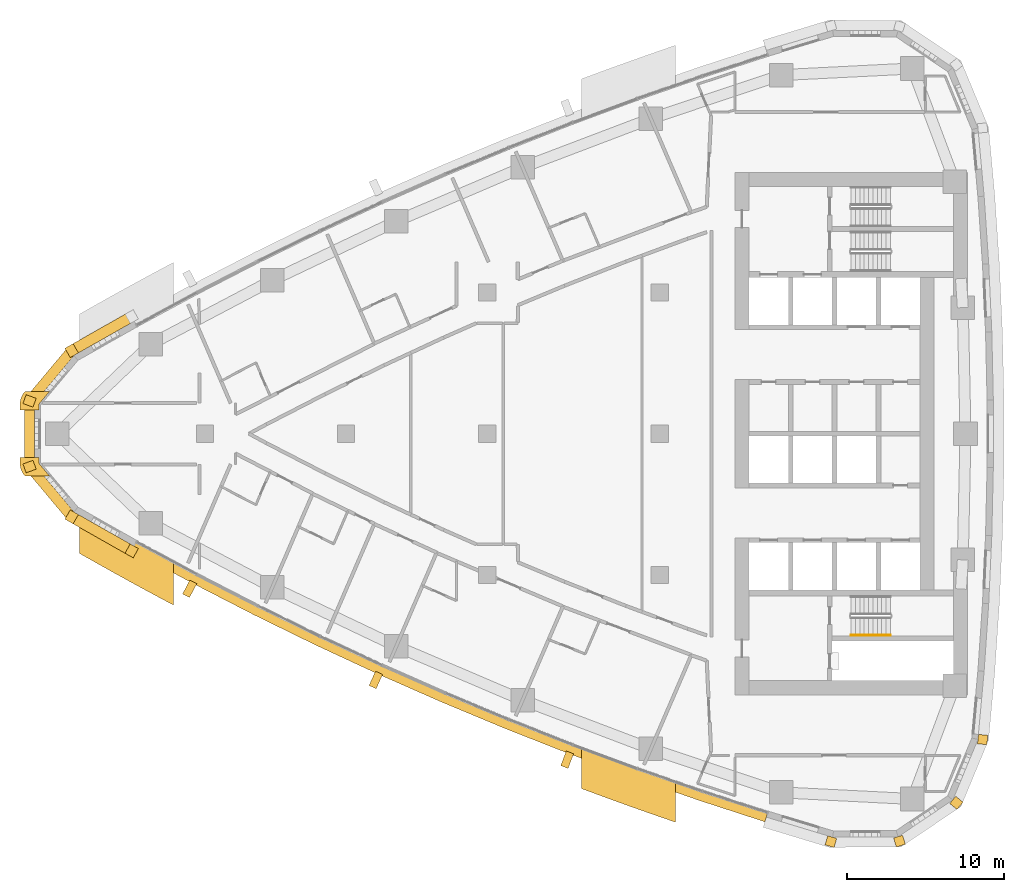
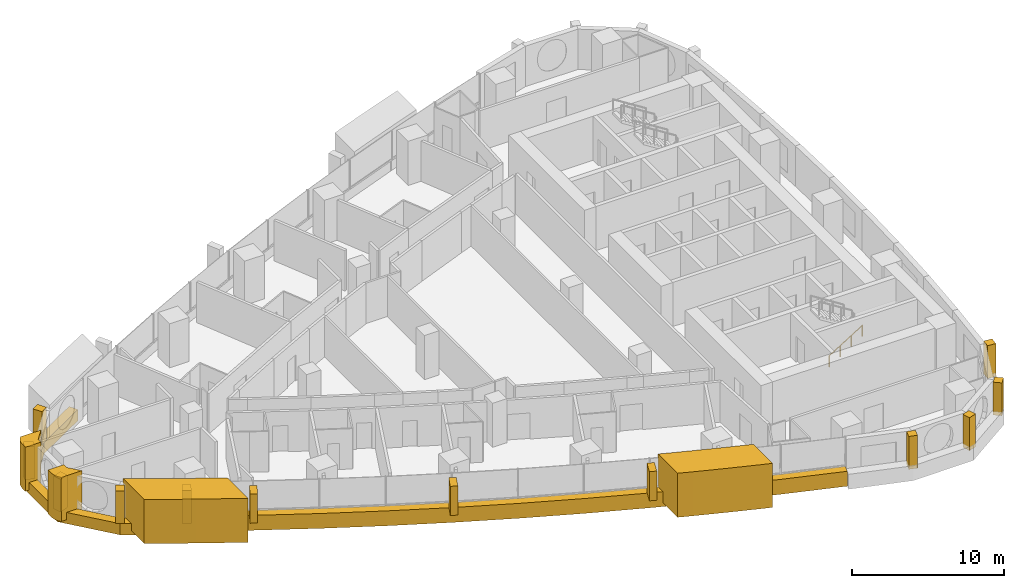
# One storey, part 14 of 17: 18 coverings, 1 railing.
"""IFC4 building model written with IfcOpenShell, lengths in metres."""

from ifc_helpers import new_model, si_unit, direction, frame, frame_2d, origin, origin_2d, place, context, subcontext, project, spatial, polyline, rectangle, circle, outline, extrude, material, layer, layer_set, type_object, element, save


model = new_model("IFC4")

# Units and contexts
model_context = context("Model", 3, precision=1e-05, world=origin(), true_north=direction((0.0, 1.0)))
body_context = subcontext(model_context, "Body", "Model", "MODEL_VIEW")
ifc_project = project(units=[si_unit("LENGTHUNIT", "METRE"), si_unit("AREAUNIT", "SQUARE_METRE"), si_unit("VOLUMEUNIT", "CUBIC_METRE"), si_unit("PLANEANGLEUNIT", "RADIAN"), si_unit("MASSUNIT", "GRAM", prefix="KILO")], contexts=[model_context])

# Site, building, storey
site_placement = place(None, origin())
site = spatial("IfcSite", under=ifc_project, at=site_placement, CompositionType="ELEMENT")
building_placement = place(site_placement, origin())
building = spatial("IfcBuilding", under=site, at=building_placement, Name="Ostrand Prow Hotel Tower", CompositionType="ELEMENT")
storey_placement = place(building_placement, frame((0.0, 0.0, 155.050048828125)))
storey = spatial("IfcBuildingStorey", under=building, at=storey_placement, Name="L38", CompositionType="ELEMENT", Elevation=155.050048828125)

# Coverings
ifc_material_1 = material(Name="Bronze anodised aluminium cladding", Category="aluminium")
ifc_layer_1 = layer(ifc_material_1, 0.60009765625)
ifc_layer_set_1 = layer_set([ifc_layer_1], Name="Bronze anodised aluminium cladding")
covering_type_1 = type_object("IfcCoveringType", Name="Bronze prow band 899x600", PredefinedType="CLADDING", material=ifc_layer_set_1)
covering_1_placement = place(storey_placement, frame((0.0, 0.0, -0.300048828125)))
element("IfcCovering", 1, at=covering_1_placement, inside=storey, type_object=covering_type_1, Name="Bronze prow band", PredefinedType="CLADDING", context=body_context, shape_type="SweptSolid", body=[
    extrude(outline(polyline([(11.16845703125, 7.766845703125), (7.335205078125, 5.594970703125), (4.5009765625, 2.208251953125), (4.5009765625, -2.208251953125), (7.335205078125, -5.594970703125), (11.16845703125, -7.766845703125), (11.497802734375, -7.171875), (7.676513671875, -5.006591796875), (5.14013671875, -1.97607421875), (5.14013671875, 1.97607421875), (7.676513671875, 5.006591796875), (11.497802734375, 7.171875), (11.16845703125, 7.766845703125)])), origin(), (0.0, 0.0, 1.0), 0.89990234375),
])
ifc_material_2 = material(Name="Bronze anodised aluminium cladding", Category="aluminium")
ifc_layer_2 = layer(ifc_material_2, 0.60009765625)
ifc_layer_set_2 = layer_set([ifc_layer_2], Name="Bronze anodised aluminium cladding")
covering_type_2 = type_object("IfcCoveringType", Name="Bronze spandrel band 1200x600", PredefinedType="CLADDING", material=ifc_layer_set_2)
covering_2_placement = place(storey_placement, frame((0.0, 0.0, -0.300048828125)))
element("IfcCovering", 2, at=covering_2_placement, inside=storey, type_object=covering_type_2, Name="Spandrel band S1", PredefinedType="CLADDING", context=body_context, shape_type="SweptSolid", body=[
    extrude(outline(polyline([(11.3466796875, -7.445068359375), (15.21630859375, -9.535888671875), (19.126953125, -11.548828125), (23.077392578125, -13.482666015625), (27.06591796875, -15.336669921875), (31.091064453125, -17.110107421875), (35.15087890625, -18.80224609375), (39.243896484375, -20.41259765625), (43.368408203125, -21.9404296875), (47.522705078125, -23.385009765625), (51.705322265625, -24.74560546875), (51.88525390625, -24.17333984375), (47.714111328125, -22.81640625), (43.571044921875, -21.375732421875), (39.457763671875, -19.85205078125), (35.376220703125, -18.24609375), (31.327392578125, -16.55859375), (27.3134765625, -14.7900390625), (23.335693359375, -12.941162109375), (19.396240234375, -11.0126953125), (15.49609375, -9.00537109375), (11.63720703125, -6.920166015625), (11.3466796875, -7.445068359375)])), origin(), (0.0, 0.0, 1.0), 1.199951171875),
])
ifc_material_3 = material(Name="Limestone cladding", Category="masonry")
ifc_layer_3 = layer(ifc_material_3, 5.0)
ifc_layer_set_3 = layer_set([ifc_layer_3], Name="Limestone cladding")
covering_type_3 = type_object("IfcCoveringType", Name="Portal jamb pilaster limestone", PredefinedType="CLADDING", material=ifc_layer_set_3)
covering_3_placement = place(storey_placement, origin())
element("IfcCovering", 3, at=covering_3_placement, inside=storey, type_object=covering_type_3, Name="Portal jamb SA L38", PredefinedType="CLADDING", context=body_context, shape_type="SweptSolid", body=[
    extrude(outline(polyline([(8.0, -4.861572265625), (8.0, -7.62939453125), (9.0, -8.1962890625), (10.0, -8.75634765625), (11.0, -9.3095703125), (12.0, -9.856201171875), (13.0, -10.39599609375), (14.0, -10.92919921875), (14.0, -8.208740234375), (13.0, -7.66796875), (12.0, -7.12060546875), (11.0, -6.566162109375), (10.0, -6.0048828125), (9.0, -5.436767578125), (8.0, -4.861572265625)])), origin(), (0.0, 0.0, 1.0), 3.550048828125),
])
covering_4_placement = place(storey_placement, origin())
element("IfcCovering", 4, at=covering_4_placement, inside=storey, type_object=covering_type_3, Name="Portal jamb SB L38", PredefinedType="CLADDING", context=body_context, shape_type="SweptSolid", body=[
    extrude(outline(polyline([(40.0, -20.058349609375), (40.0, -22.622802734375), (41.0, -22.994140625), (42.0, -23.360107421875), (43.0, -23.720458984375), (44.0, -24.075439453125), (45.0, -24.425048828125), (46.0, -24.769287109375), (46.0, -22.231689453125), (45.0, -21.883056640625), (44.0, -21.529296875), (43.0, -21.169921875), (42.0, -20.804931640625), (41.0, -20.434326171875), (40.0, -20.058349609375)])), origin(), (0.0, 0.0, 1.0), 3.550048828125),
])
ifc_material_4 = material(Name="Limestone cladding", Category="masonry")
ifc_layer_4 = layer(ifc_material_4, 0.5)
ifc_layer_set_4 = layer_set([ifc_layer_4], Name="Limestone cladding")
covering_type_4 = type_object("IfcCoveringType", Name="Precast stone fin 500x900", PredefinedType="CLADDING", material=ifc_layer_set_4)
covering_5_placement = place(storey_placement, frame((15.2626953125, -9.447509765625, 0.89990234375), z_axis=(0.0, 0.0, 1.0), x_axis=(-0.466350109869, -0.884600234584, 0.0)))
element("IfcCovering", 5, at=covering_5_placement, inside=storey, type_object=covering_type_4, Name="Stone fin S 2", PredefinedType="CLADDING", context=body_context, shape_type="SweptSolid", body=[
    extrude(rectangle(XDim=1.0, YDim=0.5, at=frame_2d((0.5, 0.0))), origin(), (0.0, 0.0, 1.0), 2.35009765625),
])
covering_6_placement = place(storey_placement, frame((27.107177734375, -15.24560546875, 0.89990234375), z_axis=(0.0, 0.0, 1.0), x_axis=(-0.412404328124, -0.911000916654, 0.0)))
element("IfcCovering", 6, at=covering_6_placement, inside=storey, type_object=covering_type_4, Name="Stone fin S 5", PredefinedType="CLADDING", context=body_context, shape_type="SweptSolid", body=[
    extrude(rectangle(XDim=0.999755859375, YDim=0.5, at=frame_2d((0.5, 0.0))), origin(), (0.0, 0.0, 1.0), 2.35009765625),
])
covering_7_placement = place(storey_placement, frame((39.279541015625, -20.319091796875, 0.89990234375), z_axis=(0.0, 0.0, 1.0), x_axis=(-0.356868116991, -0.93415477683, 0.0)))
element("IfcCovering", 7, at=covering_7_placement, inside=storey, type_object=covering_type_4, Name="Stone fin S 8", PredefinedType="CLADDING", context=body_context, shape_type="SweptSolid", body=[
    extrude(rectangle(XDim=1.000244140625, YDim=0.5, at=frame_2d((0.5, 0.0))), origin(), (0.0, 0.0, 1.0), 2.35009765625),
])
ifc_material_5 = material(Name="Limestone cladding", Category="masonry")
ifc_layer_5 = layer(ifc_material_5, 0.60009765625)
ifc_layer_set_5 = layer_set([ifc_layer_5], Name="Limestone cladding")
covering_type_5 = type_object("IfcCoveringType", Name="Precast stone prow rib 600x600", PredefinedType="CLADDING", material=ifc_layer_set_5)
covering_8_placement = place(storey_placement, frame((7.676513671875, 5.006591796875, 0.599853515625), z_axis=(0.0, 0.0, 1.0), x_axis=(-0.501771803437, 0.865000033107, 0.0)))
element("IfcCovering", 8, at=covering_8_placement, inside=storey, type_object=covering_type_5, Name="Stone prow rib 2", PredefinedType="CLADDING", context=body_context, shape_type="SweptSolid", body=[
    extrude(rectangle(XDim=0.68017578125, YDim=0.60009765625, at=frame_2d((0.340087890625, 0.0))), origin(), (0.0, 0.0, 1.0), 2.650146484375),
])
for number, where, z_axis, x_axis, name in (
    (9, (5.14013671875, 1.97607421875, 0.599853515625), (0.0, 0.0, 1.0), (-0.939908674991, 0.341425954896, 0.0), "Stone prow rib 3"),
    (10, (5.14013671875, -1.97607421875, 0.599853515625), (0.0, 0.0, 1.0), (-0.939908674991, -0.341425954896, 0.0), "Stone prow rib 4"),
):
    element("IfcCovering", number, at=place(storey_placement, frame(where, z_axis=z_axis, x_axis=x_axis)), inside=storey, type_object=covering_type_5, Name=name, PredefinedType="CLADDING", context=body_context, shape_type="SweptSolid", body=[
        extrude(rectangle(XDim=0.679931640625, YDim=0.60009765625, at=frame_2d((0.33984375, 0.0))), origin(), (0.0, 0.0, 1.0), 2.650146484375),
    ])
covering_9_placement = place(storey_placement, frame((7.676513671875, -5.006591796875, 0.599853515625), z_axis=(0.0, 0.0, 1.0), x_axis=(-0.501771803437, -0.865000033107, 0.0)))
element("IfcCovering", 11, at=covering_9_placement, inside=storey, type_object=covering_type_5, Name="Stone prow rib 5", PredefinedType="CLADDING", context=body_context, shape_type="SweptSolid", body=[
    extrude(rectangle(XDim=0.68017578125, YDim=0.60009765625, at=frame_2d((0.340087890625, 0.0))), origin(), (0.0, 0.0, 1.0), 2.650146484375),
])
covering_10_placement = place(storey_placement, frame((11.497802734375, -7.171875, 0.599853515625), z_axis=(0.0, 0.0, 1.0), x_axis=(-0.484301161624, -0.874901357211, 0.0)))
element("IfcCovering", 12, at=covering_10_placement, inside=storey, type_object=covering_type_5, Name="Stone prow rib 6", PredefinedType="CLADDING", context=body_context, shape_type="SweptSolid", body=[
    extrude(rectangle(XDim=0.679931640625, YDim=0.60009765625, at=frame_2d((0.33984375, 0.0))), origin(), (0.0, 0.0, 1.0), 2.650146484375),
])
covering_11_placement = place(storey_placement, frame((56.001953125, -25.722412109375, 0.599853515625), z_axis=(0.0, 0.0, 1.0), x_axis=(-0.280734221166, -0.959785547436, 0.0)))
element("IfcCovering", 13, at=covering_11_placement, inside=storey, type_object=covering_type_5, Name="Stone corner rib 2a", PredefinedType="CLADDING", context=body_context, shape_type="SweptSolid", body=[
    extrude(rectangle(XDim=0.60009765625, YDim=0.60009765625, at=frame_2d((0.300048828125, 0.0))), origin(), (0.0, 0.0, 1.0), 2.650146484375),
])
for number, where, z_axis, x_axis, name in (
    (14, (60.201171875, -25.689697265625, 0.599853515625), (0.0, 0.0, 1.0), (0.295515682615, -0.955337888565, 0.0), "Stone corner rib 3a"),
    (15, (63.68505859375, -23.34521484375, 0.599853515625), (0.0, 0.0, 1.0), (0.773830327772, -0.633392945825, 0.0), "Stone corner rib 4a"),
):
    element("IfcCovering", number, at=place(storey_placement, frame(where, z_axis=z_axis, x_axis=x_axis)), inside=storey, type_object=covering_type_5, Name=name, PredefinedType="CLADDING", context=body_context, shape_type="SweptSolid", body=[
        extrude(rectangle(XDim=0.599853515625, YDim=0.60009765625, at=frame_2d((0.2998046875, 0.0))), origin(), (0.0, 0.0, 1.0), 2.650146484375),
    ])
covering_12_placement = place(storey_placement, frame((65.296875, -19.467529296875, 0.599853515625), z_axis=(0.0, 0.0, 1.0), x_axis=(0.994854249607, -0.101316445052, 0.0)))
element("IfcCovering", 16, at=covering_12_placement, inside=storey, type_object=covering_type_5, Name="Stone corner rib 4b", PredefinedType="CLADDING", context=body_context, shape_type="SweptSolid", body=[
    extrude(rectangle(XDim=0.60009765625, YDim=0.60009765625, at=frame_2d((0.300048828125, 0.0))), origin(), (0.0, 0.0, 1.0), 2.650146484375),
])
ifc_material_6 = material(Name="Limestone cladding", Category="masonry")
ifc_layer_6 = layer(ifc_material_6, 3.0)
ifc_layer_set_6 = layer_set([ifc_layer_6], Name="Limestone cladding")
covering_type_6 = type_object("IfcCoveringType", Name="Prow nose pier limestone", PredefinedType="CLADDING", material=ifc_layer_set_6)
covering_13_placement = place(storey_placement, origin())
element("IfcCovering", 17, at=covering_13_placement, inside=storey, type_object=covering_type_6, Name="Prow spine fin N L38", PredefinedType="CLADDING", context=body_context, shape_type="SweptSolid", body=[
    extrude(outline(polyline([(4.210693359375, 1.877685546875), (4.210693359375, 1.5), (5.41064453125, 1.5), (5.41064453125, 1.877685546875), (6.098876953125, 2.699951171875), (4.533935546875, 2.699951171875), (4.490478515625, 2.64794921875), (4.41845703125, 2.552490234375), (4.356201171875, 2.45068359375), (4.304443359375, 2.343017578125), (4.263916015625, 2.230712890625), (4.234375, 2.114990234375), (4.216552734375, 1.9970703125), (4.210693359375, 1.877685546875)])), origin(), (0.0, 0.0, 1.0), 3.550048828125),
])
covering_14_placement = place(storey_placement, origin())
element("IfcCovering", 18, at=covering_14_placement, inside=storey, type_object=covering_type_6, Name="Prow spine fin S L38", PredefinedType="CLADDING", context=body_context, shape_type="SweptSolid", body=[
    extrude(outline(polyline([(4.490478515625, -2.64794921875), (4.533935546875, -2.699951171875), (6.098876953125, -2.699951171875), (5.41064453125, -1.877685546875), (5.41064453125, -1.5), (4.210693359375, -1.5), (4.210693359375, -1.877685546875), (4.216552734375, -1.9970703125), (4.234375, -2.114990234375), (4.263916015625, -2.230712890625), (4.304443359375, -2.343017578125), (4.356201171875, -2.45068359375), (4.41845703125, -2.552490234375), (4.490478515625, -2.64794921875)])), origin(), (0.0, 0.0, 1.0), 3.550048828125),
])

# Railing
ifc_material_7 = material(Name="Stainless steel", Category="steel")
railing_type = type_object("IfcRailingType", Name="Stair handrail 900", PredefinedType="HANDRAIL", material=ifc_material_7)
railing_placement = place(storey_placement, frame((57.199951171875, -12.85009765625, 0.177490234375)))
element("IfcRailing", 19, at=railing_placement, inside=storey, type_object=railing_type, Name="L38 ST2C stair handrail 1", PredefinedType="HANDRAIL", context=body_context, shape_type="SweptSolid", body=[
    extrude(circle(Radius=0.02392578125, at=origin_2d()), frame((0.0, 0.0, 0.8759765625), z_axis=(0.84460694969, 0.0, 0.535386869969), x_axis=(0.0, 1.0, 0.0)), (0.0, 0.0, 1.0), 2.983642578125),
    extrude(circle(Radius=0.02099609375, at=origin_2d()), origin(), (0.0, 0.0, 1.0), 0.851806640625),
    extrude(circle(Radius=0.02099609375, at=origin_2d()), frame((0.840087890625, 0.0, 0.532470703125)), (0.0, 0.0, 1.0), 0.851806640625),
    extrude(circle(Radius=0.02099609375, at=origin_2d()), frame((1.679931640625, 0.0, 1.06494140625)), (0.0, 0.0, 1.0), 0.851806640625),
    extrude(circle(Radius=0.02099609375, at=origin_2d()), frame((2.52001953125, 0.0, 1.597412109375)), (0.0, 0.0, 1.0), 0.851806640625),
])

save(model, "model.ifc")
